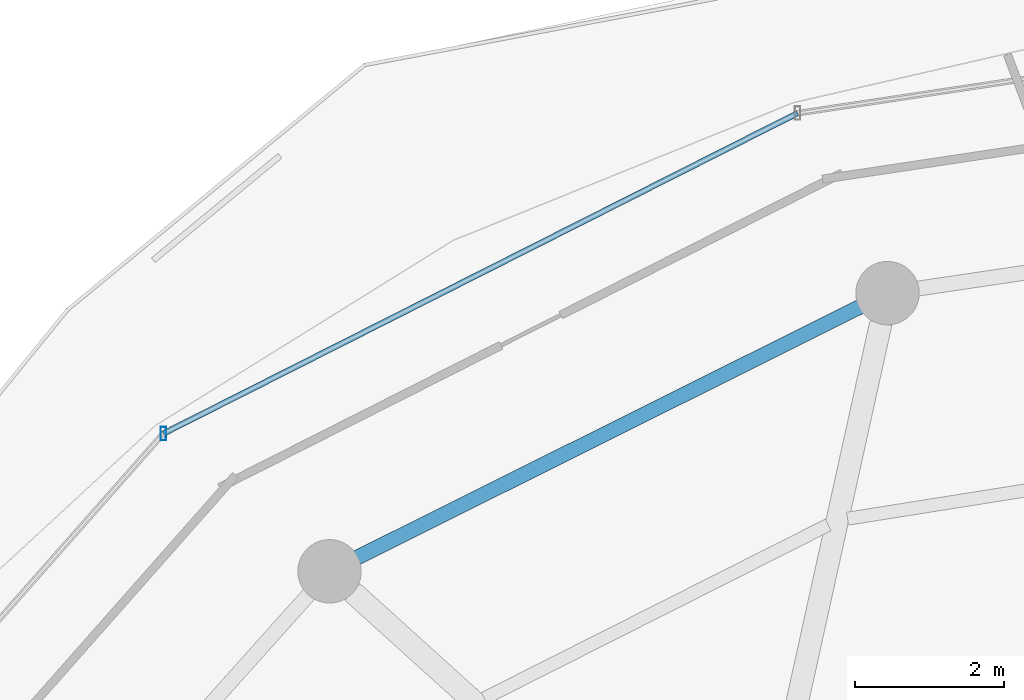
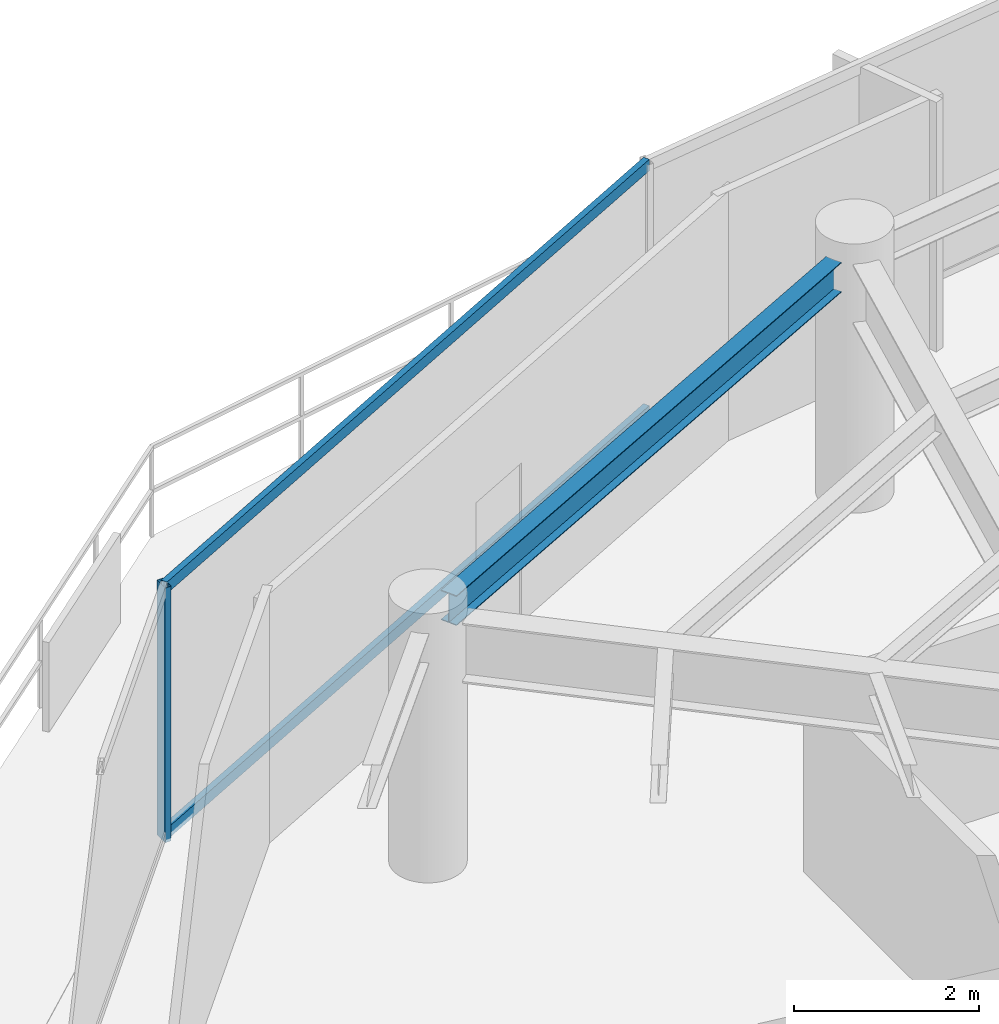
# One storey, part 16 of 30: 3 members, 1 beam, 1 element without a shape of its own.
"""IFC4 building model written with IfcOpenShell, lengths in metres."""

from ifc_helpers import new_model, si_unit, direction, frame, origin, origin_2d, place, context, subcontext, project, spatial, hollow_rectangle, i_section, extrude, material, material_profile, profile_set, type_object, element, aggregate, save


model = new_model("IFC4")

# Units and contexts
model_context = context("Model", 3, precision=1e-05, world=origin(), true_north=direction((0.0, 1.0)))
body_context = subcontext(model_context, "Body", "Model", "MODEL_VIEW")
ifc_project = project(units=[si_unit("LENGTHUNIT", "METRE"), si_unit("AREAUNIT", "SQUARE_METRE"), si_unit("VOLUMEUNIT", "CUBIC_METRE"), si_unit("PLANEANGLEUNIT", "RADIAN"), si_unit("MASSUNIT", "GRAM", prefix="KILO")], contexts=[model_context])

# Site, building, storey
site_placement = place(None, origin())
site = spatial("IfcSite", under=ifc_project, at=site_placement, CompositionType="ELEMENT")
building_placement = place(site_placement, origin())
building = spatial("IfcBuilding", under=site, at=building_placement, Name="Vorneva Point Tower", CompositionType="ELEMENT")
storey_placement = place(building_placement, frame((0.0, 0.0, 234.25)))
storey = spatial("IfcBuildingStorey", under=building, at=storey_placement, Name="L63", CompositionType="ELEMENT", Elevation=234.25)

# Beam
ifc_material_1 = material(Name="Steel S355", Category="steel")
ifc_material_profile_1 = material_profile(ifc_material_1, i_section(OverallWidth=0.198974609375, OverallDepth=0.39599609375, WebThickness=0.007080078125, FlangeThickness=0.010986328125, at=origin_2d()), Name="40B1")
ifc_profile_set_1 = profile_set([ifc_material_profile_1], Name="Steel S355")
beam_type = type_object("IfcBeamType", Name="BM-SPN-40B1", PredefinedType="SPANDREL", material=ifc_profile_set_1)
beam_placement = place(storey_placement, frame((28.812255859375, 41.707763671875, 3.092041015625), z_axis=(-0.894932011528, -0.446202526599, 0.0), x_axis=(0.446202526599, -0.894932011528, 0.0)))
element("IfcBeam", 1, at=beam_placement, inside=storey, type_object=beam_type, Name="L63 Perimeter Spandrel Ring Beam 06", PredefinedType="SPANDREL", context=body_context, shape_type="SweptSolid", body=[
    extrude(i_section(OverallWidth=0.198974609375, OverallDepth=0.39599609375, WebThickness=0.007080078125, FlangeThickness=0.010986328125, at=origin_2d()), origin(), (0.0, 0.0, 1.0), 7.535888671875),
])

# Curtain wall, members
ifc_material_2 = material(Name="Pale anodised aluminium", Category="aluminium")
curtain_wall_type = type_object("IfcCurtainWallType", Name="CW-RES-SYS", PredefinedType="NOTDEFINED", material=ifc_material_2)
curtain_wall_placement = place(storey_placement, origin())
curtain_wall = element("IfcCurtainWall", 2, at=curtain_wall_placement, inside=storey, type_object=curtain_wall_type, Name="L63 Unitised Curtain Wall CW-L63-R02", PredefinedType="NOTDEFINED")
ifc_material_profile_2 = material_profile(ifc_material_2, hollow_rectangle(XDim=0.074951171875, YDim=0.179931640625, WallThickness=0.00390625, at=origin_2d()), Name="AL-MUL 180x75x4")
ifc_profile_set_2 = profile_set([ifc_material_profile_2], Name="Pale anodised aluminium")
member_type_1 = type_object("IfcMemberType", Name="CW-MUL-180", PredefinedType="MULLION", material=ifc_profile_set_2)
member_1_placement = place(storey_placement, frame((19.473876953125, 40.0078125, -0.0400390625), z_axis=(0.0, 0.0, 1.0), x_axis=(1.0, 0.0, 0.0)))
member_1 = element("IfcMember", 3, at=member_1_placement, type_object=member_type_1, Name="CW-L63-R02 Mullion 05", PredefinedType="MULLION", context=body_context, shape_type="SweptSolid", body=[
    extrude(hollow_rectangle(XDim=0.074951171875, YDim=0.179931640625, WallThickness=0.00390625, at=origin_2d()), origin(), (0.0, 0.0, 1.0), 3.360107421875),
])
ifc_material_profile_3 = material_profile(ifc_material_2, hollow_rectangle(XDim=0.074951171875, YDim=0.14990234375, WallThickness=0.00390625, at=origin_2d()), Name="AL-TRN 150x75x4")
ifc_profile_set_3 = profile_set([ifc_material_profile_3], Name="Pale anodised aluminium")
member_type_2 = type_object("IfcMemberType", Name="CW-TRN-150", PredefinedType="USERDEFINED", material=ifc_profile_set_3)
member_2_placement = place(storey_placement, frame((27.9736328125, 44.302001953125, 0.02001953125), z_axis=(-0.892558185815, -0.450932239848, 0.0), x_axis=(0.450932239848, -0.892558185815, 0.0)))
member_2 = element("IfcMember", 4, at=member_2_placement, type_object=member_type_2, Name="CW-L63-R02 Transom 04.1", ObjectType="TRANSOM", PredefinedType="USERDEFINED", context=body_context, shape_type="SweptSolid", body=[
    extrude(hollow_rectangle(XDim=0.074951171875, YDim=0.14990234375, WallThickness=0.00390625, at=origin_2d()), origin(), (0.0, 0.0, 1.0), 9.52294921875),
])
member_3_placement = place(storey_placement, frame((27.9736328125, 44.302001953125, 3.27001953125), z_axis=(-0.892558185815, -0.450932239848, 0.0), x_axis=(0.450932239848, -0.892558185815, 0.0)))
member_3 = element("IfcMember", 5, at=member_3_placement, type_object=member_type_2, Name="CW-L63-R02 Transom 04.2", ObjectType="TRANSOM", PredefinedType="USERDEFINED", context=body_context, shape_type="SweptSolid", body=[
    extrude(hollow_rectangle(XDim=0.074951171875, YDim=0.14990234375, WallThickness=0.00390625, at=origin_2d()), origin(), (0.0, 0.0, 1.0), 9.52294921875),
])
aggregate(curtain_wall, [member_1, member_2, member_3])

save(model, "model.ifc")
